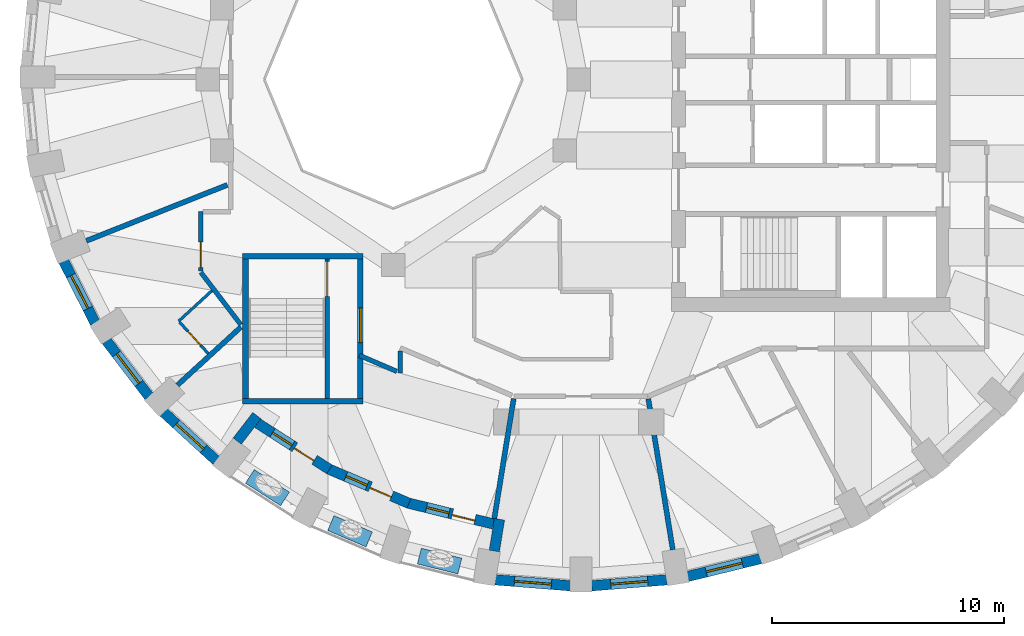
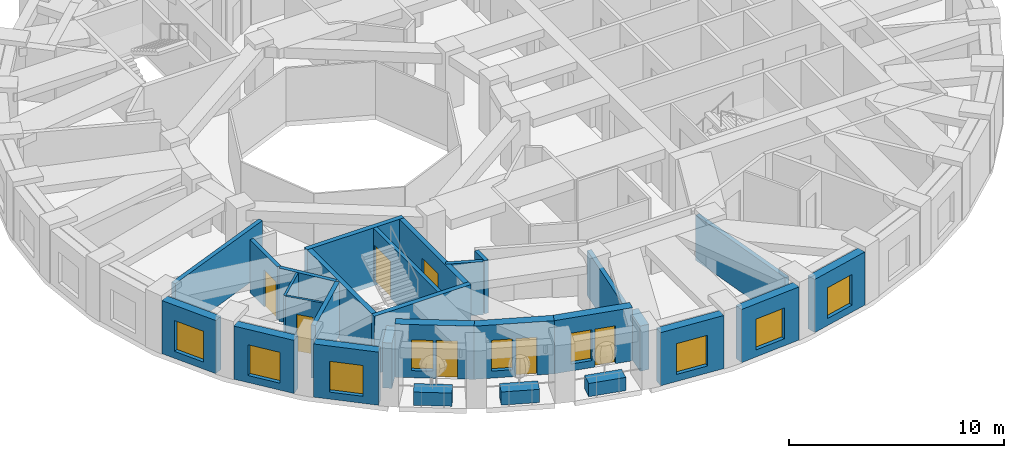
# One storey, part 3 of 12: 29 walls, 9 windows, 7 doors, 16 openings.
"""IFC4 building model written with IfcOpenShell, lengths in metres."""

from ifc_helpers import new_model, si_unit, direction, frame, frame_2d, origin, place, context, subcontext, project, spatial, rectangle, extrude, material, layer, layer_set, constituent, constituent_set, type_object, element, fill, save


model = new_model("IFC4")

# Units and contexts
model_context = context("Model", 3, precision=1e-05, world=origin(), true_north=direction((0.0, 1.0)))
body_context = subcontext(model_context, "Body", "Model", "MODEL_VIEW")
ifc_project = project(units=[si_unit("LENGTHUNIT", "METRE"), si_unit("AREAUNIT", "SQUARE_METRE"), si_unit("VOLUMEUNIT", "CUBIC_METRE"), si_unit("PLANEANGLEUNIT", "RADIAN"), si_unit("MASSUNIT", "GRAM", prefix="KILO")], contexts=[model_context])

# Site, building, storey
site_placement = place(None, origin())
site = spatial("IfcSite", under=ifc_project, at=site_placement, CompositionType="ELEMENT")
building_placement = place(site_placement, origin())
building = spatial("IfcBuilding", under=site, at=building_placement, Name="Taillehof Tower", CompositionType="ELEMENT")
storey_placement = place(building_placement, frame((0.0, 0.0, 171.5)))
storey = spatial("IfcBuildingStorey", under=building, at=storey_placement, Name="L48", CompositionType="ELEMENT", Elevation=171.5)

# Wall, opening, window
ifc_material_1 = material(Name="Brick masonry", Category="masonry")
ifc_layer_1 = layer(ifc_material_1, 0.449951171875)
ifc_layer_set_1 = layer_set([ifc_layer_1], Name="Brick infill wall 450")
wall_type_1 = type_object("IfcWallType", Name="Brick infill wall 450", PredefinedType="SOLIDWALL", material=ifc_layer_set_1)
wall_1_placement = place(storey_placement, frame((-22.21533203125, -7.8369140625, 0.0), z_axis=(0.0, 0.0, 1.0), x_axis=(0.454133999889, -0.890933392653, 0.0)))
wall_1 = element("IfcWall", 1, at=wall_1_placement, inside=storey, type_object=wall_type_1, Name="Brick wall L48 bay 21", PredefinedType="SOLIDWALL", context=body_context, shape_type="SweptSolid", body=[
    extrude(rectangle(XDim=2.98583984375, YDim=0.449951171875, at=frame_2d((1.492919921875, 0.0))), origin(), (0.0, 0.0, 1.0), 3.02001953125),
])
opening_1_placement = place(wall_1_placement, frame((0.69287109375, 0.0, 0.39990234375)))
opening_1 = element("IfcOpeningElement", 2, at=opening_1_placement, cuts=wall_1, Name="Opening W3", PredefinedType="OPENING", context=body_context, shape_type="SweptSolid", body=[
    extrude(rectangle(XDim=1.60009765625, YDim=1.75, at=frame_2d((0.800048828125, 0.875))), frame((0.0, 0.23486328125, 0.0), z_axis=(0.0, -1.0, 0.0), x_axis=(1.0, 0.0, 0.0)), (0.0, 0.0, 1.0), 0.469970703125),
])
ifc_material_2 = material(Name="Aluminium window frame with clear double glazing", Category="aluminium")
window_type_1 = type_object("IfcWindowType", Name="Deep-set window 1600x1750", PartitioningType="SINGLE_PANEL", PredefinedType="WINDOW", material=ifc_material_2)
window_1_placement = place(opening_1_placement, origin())
window_1 = element("IfcWindow", 3, at=window_1_placement, inside=storey, type_object=window_type_1, Name="W3", OverallHeight=1.75, OverallWidth=1.60009765625, PartitioningType="SINGLE_PANEL", PredefinedType="WINDOW", context=body_context, shape_type="SweptSolid", body=[
    extrude(rectangle(XDim=1.60009765625, YDim=1.75, at=frame_2d((0.800048828125, 0.875))), frame((0.0, 0.034912109375, 0.0), z_axis=(0.0, -1.0, 0.0), x_axis=(1.0, 0.0, 0.0)), (0.0, 0.0, 1.0), 0.06005859375),
])
fill(opening_1, window_1)

wall_2_placement = place(storey_placement, frame((-20.3740234375, -11.26708984375, 0.0), z_axis=(0.0, 0.0, 1.0), x_axis=(0.607817056371, -0.794077090706, 0.0)))
wall_2 = element("IfcWall", 4, at=wall_2_placement, inside=storey, type_object=wall_type_1, Name="Brick wall L48 bay 22", PredefinedType="SOLIDWALL", context=body_context, shape_type="SweptSolid", body=[
    extrude(rectangle(XDim=3.037109375, YDim=0.449951171875, at=frame_2d((1.5185546875, 0.0))), origin(), (0.0, 0.0, 1.0), 3.02001953125),
])
opening_2_placement = place(wall_2_placement, frame((0.718505859375, 0.0, 0.39990234375)))
opening_2 = element("IfcOpeningElement", 5, at=opening_2_placement, cuts=wall_2, Name="Opening W3", PredefinedType="OPENING", context=body_context, shape_type="SweptSolid", body=[
    extrude(rectangle(XDim=1.60009765625, YDim=1.75, at=frame_2d((0.800048828125, 0.875))), frame((0.0, 0.23486328125, 0.0), z_axis=(0.0, -1.0, 0.0), x_axis=(1.0, 0.0, 0.0)), (0.0, 0.0, 1.0), 0.469970703125),
])
window_2_placement = place(opening_2_placement, origin())
window_2 = element("IfcWindow", 6, at=window_2_placement, inside=storey, type_object=window_type_1, Name="W3", OverallHeight=1.75, OverallWidth=1.60009765625, PartitioningType="SINGLE_PANEL", PredefinedType="WINDOW", context=body_context, shape_type="SweptSolid", body=[
    extrude(rectangle(XDim=1.60009765625, YDim=1.75, at=frame_2d((0.800048828125, 0.875))), frame((0.0, 0.034912109375, 0.0), z_axis=(0.0, -1.0, 0.0), x_axis=(1.0, 0.0, 0.0)), (0.0, 0.0, 1.0), 0.06005859375),
])
fill(opening_2, window_2)

wall_3_placement = place(storey_placement, frame((-17.913330078125, -14.349853515625, 0.0), z_axis=(0.0, 0.0, 1.0), x_axis=(0.737808755941, -0.675009807082, 0.0)))
wall_3 = element("IfcWall", 7, at=wall_3_placement, inside=storey, type_object=wall_type_1, Name="Brick wall L48 bay 23", PredefinedType="SOLIDWALL", context=body_context, shape_type="SweptSolid", body=[
    extrude(rectangle(XDim=3.094482421875, YDim=0.449951171875, at=frame_2d((1.54736328125, 0.0))), origin(), (0.0, 0.0, 1.0), 3.02001953125),
])
opening_3_placement = place(wall_3_placement, frame((0.747314453125, 0.0, 0.39990234375)))
opening_3 = element("IfcOpeningElement", 8, at=opening_3_placement, cuts=wall_3, Name="Opening W3", PredefinedType="OPENING", context=body_context, shape_type="SweptSolid", body=[
    extrude(rectangle(XDim=1.60009765625, YDim=1.75, at=frame_2d((0.800048828125, 0.875))), frame((0.0, 0.23486328125, 0.0), z_axis=(0.0, -1.0, 0.0), x_axis=(1.0, 0.0, 0.0)), (0.0, 0.0, 1.0), 0.469970703125),
])
window_3_placement = place(opening_3_placement, origin())
window_3 = element("IfcWindow", 9, at=window_3_placement, inside=storey, type_object=window_type_1, Name="W3", OverallHeight=1.75, OverallWidth=1.60009765625, PartitioningType="SINGLE_PANEL", PredefinedType="WINDOW", context=body_context, shape_type="SweptSolid", body=[
    extrude(rectangle(XDim=1.60009765625, YDim=1.75, at=frame_2d((0.800048828125, 0.875))), frame((0.0, 0.034912109375, 0.0), z_axis=(0.0, -1.0, 0.0), x_axis=(1.0, 0.0, 0.0)), (0.0, 0.0, 1.0), 0.06005859375),
])
fill(opening_3, window_3)

wall_4_placement = place(storey_placement, frame((-3.6005859375, -21.578125, 0.0), z_axis=(0.0, 0.0, 1.0), x_axis=(0.996812416891, -0.079780984773, 0.0)))
wall_4 = element("IfcWall", 10, at=wall_4_placement, inside=storey, type_object=wall_type_1, Name="Brick wall L48 bay 27", PredefinedType="SOLIDWALL", context=body_context, shape_type="SweptSolid", body=[
    extrude(rectangle(XDim=3.256103515625, YDim=0.449951171875, at=frame_2d((1.6279296875, 0.0))), origin(), (0.0, 0.0, 1.0), 3.02001953125),
])
opening_4_placement = place(wall_4_placement, frame((0.827880859375, 0.0, 0.39990234375)))
opening_4 = element("IfcOpeningElement", 11, at=opening_4_placement, cuts=wall_4, Name="Opening W3", PredefinedType="OPENING", context=body_context, shape_type="SweptSolid", body=[
    extrude(rectangle(XDim=1.60009765625, YDim=1.75, at=frame_2d((0.800048828125, 0.875))), frame((0.0, 0.23486328125, 0.0), z_axis=(0.0, -1.0, 0.0), x_axis=(1.0, 0.0, 0.0)), (0.0, 0.0, 1.0), 0.469970703125),
])
window_4_placement = place(opening_4_placement, origin())
window_4 = element("IfcWindow", 12, at=window_4_placement, inside=storey, type_object=window_type_1, Name="W3", OverallHeight=1.75, OverallWidth=1.60009765625, PartitioningType="SINGLE_PANEL", PredefinedType="WINDOW", context=body_context, shape_type="SweptSolid", body=[
    extrude(rectangle(XDim=1.60009765625, YDim=1.75, at=frame_2d((0.800048828125, 0.875))), frame((0.0, 0.034912109375, 0.0), z_axis=(0.0, -1.0, 0.0), x_axis=(1.0, 0.0, 0.0)), (0.0, 0.0, 1.0), 0.06005859375),
])
fill(opening_4, window_4)

wall_5_placement = place(storey_placement, frame((0.55517578125, -21.837890625, 0.0), z_axis=(0.0, 0.0, 1.0), x_axis=(0.996812416891, 0.079780984773, 0.0)))
wall_5 = element("IfcWall", 13, at=wall_5_placement, inside=storey, type_object=wall_type_1, Name="Brick wall L48 bay 28", PredefinedType="SOLIDWALL", context=body_context, shape_type="SweptSolid", body=[
    extrude(rectangle(XDim=3.256103515625, YDim=0.449951171875, at=frame_2d((1.6279296875, 0.0))), origin(), (0.0, 0.0, 1.0), 3.02001953125),
])
opening_5_placement = place(wall_5_placement, frame((0.827880859375, 0.0, 0.39990234375)))
opening_5 = element("IfcOpeningElement", 14, at=opening_5_placement, cuts=wall_5, Name="Opening W3", PredefinedType="OPENING", context=body_context, shape_type="SweptSolid", body=[
    extrude(rectangle(XDim=1.60009765625, YDim=1.75, at=frame_2d((0.800048828125, 0.875))), frame((0.0, 0.23486328125, 0.0), z_axis=(0.0, -1.0, 0.0), x_axis=(1.0, 0.0, 0.0)), (0.0, 0.0, 1.0), 0.469970703125),
])
window_5_placement = place(opening_5_placement, origin())
window_5 = element("IfcWindow", 15, at=window_5_placement, inside=storey, type_object=window_type_1, Name="W3", OverallHeight=1.75, OverallWidth=1.60009765625, PartitioningType="SINGLE_PANEL", PredefinedType="WINDOW", context=body_context, shape_type="SweptSolid", body=[
    extrude(rectangle(XDim=1.60009765625, YDim=1.75, at=frame_2d((0.800048828125, 0.875))), frame((0.0, 0.034912109375, 0.0), z_axis=(0.0, -1.0, 0.0), x_axis=(1.0, 0.0, 0.0)), (0.0, 0.0, 1.0), 0.06005859375),
])
fill(opening_5, window_5)

wall_6_placement = place(storey_placement, frame((4.69921875, -21.43310546875, 0.0), z_axis=(0.0, 0.0, 1.0), x_axis=(0.971237178372, 0.238114139328, 0.0)))
wall_6 = element("IfcWall", 16, at=wall_6_placement, inside=storey, type_object=wall_type_1, Name="Brick wall L48 bay 29", PredefinedType="SOLIDWALL", context=body_context, shape_type="SweptSolid", body=[
    extrude(rectangle(XDim=3.23681640625, YDim=0.449951171875, at=frame_2d((1.618408203125, 0.0))), origin(), (0.0, 0.0, 1.0), 3.02001953125),
])
opening_6_placement = place(wall_6_placement, frame((0.818359375, 0.0, 0.39990234375)))
opening_6 = element("IfcOpeningElement", 17, at=opening_6_placement, cuts=wall_6, Name="Opening W3", PredefinedType="OPENING", context=body_context, shape_type="SweptSolid", body=[
    extrude(rectangle(XDim=1.60009765625, YDim=1.75, at=frame_2d((0.800048828125, 0.875))), frame((0.0, 0.23486328125, 0.0), z_axis=(0.0, -1.0, 0.0), x_axis=(1.0, 0.0, 0.0)), (0.0, 0.0, 1.0), 0.469970703125),
])
window_6_placement = place(opening_6_placement, origin())
window_6 = element("IfcWindow", 18, at=window_6_placement, inside=storey, type_object=window_type_1, Name="W3", OverallHeight=1.75, OverallWidth=1.60009765625, PartitioningType="SINGLE_PANEL", PredefinedType="WINDOW", context=body_context, shape_type="SweptSolid", body=[
    extrude(rectangle(XDim=1.60009765625, YDim=1.75, at=frame_2d((0.800048828125, 0.875))), frame((0.0, 0.034912109375, 0.0), z_axis=(0.0, -1.0, 0.0), x_axis=(1.0, 0.0, 0.0)), (0.0, 0.0, 1.0), 0.06005859375),
])
fill(opening_6, window_6)

# Walls
wall_7_placement = place(storey_placement, frame((-14.7314453125, -15.5966796875, 0.0), z_axis=(0.0, 0.0, 1.0), x_axis=(0.610007638158, 0.792395533423, 0.0)))
element("IfcWall", 19, at=wall_7_placement, inside=storey, type_object=wall_type_1, Name="Brick reveal L48 pocket 7", PredefinedType="SOLIDWALL", context=body_context, shape_type="SweptSolid", body=[
    extrude(rectangle(XDim=1.390869140625, YDim=0.449951171875, at=frame_2d((0.6953125, 0.0))), origin(), (0.0, 0.0, 1.0), 2.570068359375),
])
wall_8_placement = place(storey_placement, frame((-3.643798828125, -20.337646484375, 0.0), z_axis=(0.0, 0.0, 1.0), x_axis=(0.159668705775, 0.987170656166, 0.0)))
element("IfcWall", 20, at=wall_8_placement, inside=storey, type_object=wall_type_1, Name="Brick reveal L48 pocket 7", PredefinedType="SOLIDWALL", context=body_context, shape_type="SweptSolid", body=[
    extrude(rectangle(XDim=1.389892578125, YDim=0.449951171875, at=frame_2d((0.69482421875, 0.0))), origin(), (0.0, 0.0, 1.0), 2.570068359375),
])

# Wall, openings, door, window
wall_9_placement = place(storey_placement, frame((-13.853759765625, -14.825439453125, 0.0), z_axis=(0.0, 0.0, 1.0), x_axis=(0.841423945692, -0.540375557937, 0.0)))
wall_9 = element("IfcWall", 21, at=wall_9_placement, inside=storey, type_object=wall_type_1, Name="Brick wall L48 pocket bay 24", PredefinedType="SOLIDWALL", context=body_context, shape_type="SweptSolid", body=[
    extrude(rectangle(XDim=3.6826171875, YDim=0.449951171875, at=frame_2d((1.84130859375, 0.0))), origin(), (0.0, 0.0, 1.0), 3.02001953125),
])
opening_7_placement = place(wall_9_placement, frame((0.766357421875, 0.0, 0.39990234375)))
opening_7 = element("IfcOpeningElement", 22, at=opening_7_placement, cuts=wall_9, Name="Opening W5", PredefinedType="OPENING", context=body_context, shape_type="SweptSolid", body=[
    extrude(rectangle(XDim=1.0, YDim=1.75, at=frame_2d((0.5, 0.875))), frame((0.0, 0.23486328125, 0.0), z_axis=(0.0, -1.0, 0.0), x_axis=(1.0, 0.0, 0.0)), (0.0, 0.0, 1.0), 0.469970703125),
])
opening_8_placement = place(wall_9_placement, frame((1.916259765625, 0.0, 0.0)))
opening_8 = element("IfcOpeningElement", 23, at=opening_8_placement, cuts=wall_9, Name="Opening D4894", PredefinedType="OPENING", context=body_context, shape_type="SweptSolid", body=[
    extrude(rectangle(XDim=1.0, YDim=2.14990234375, at=frame_2d((0.5, 1.074951171875))), frame((0.0, 0.23486328125, 0.0), z_axis=(0.0, -1.0, 0.0), x_axis=(1.0, 0.0, 0.0)), (0.0, 0.0, 1.0), 0.469970703125),
])
ifc_material_3 = material(Name="Aluminium door frame with clear double glazing", Category="aluminium")
door_type_1 = type_object("IfcDoorType", Name="Balcony door 1000x2150", OperationType="SINGLE_SWING_RIGHT", PredefinedType="DOOR", material=ifc_material_3)
door_1_placement = place(opening_8_placement, frame((1.0, 0.0, 0.0), z_axis=(0.0, 0.0, 1.0), x_axis=(-1.0, 0.0, 0.0)))
door_1 = element("IfcDoor", 24, at=door_1_placement, inside=storey, type_object=door_type_1, Name="Balcony door L48 bay 24", OperationType="SINGLE_SWING_RIGHT", OverallHeight=2.14990234375, OverallWidth=1.0, PredefinedType="DOOR", context=body_context, shape_type="SweptSolid", body=[
    extrude(rectangle(XDim=1.0, YDim=2.14990234375, at=frame_2d((0.5, 1.074951171875))), frame((0.0, 0.0751953125, 0.0), z_axis=(0.0, -1.0, 0.0), x_axis=(1.0, 0.0, 0.0)), (0.0, 0.0, 1.0), 0.050048828125),
])
fill(opening_8, door_1)
ifc_material_4 = material(Name="Aluminium window frame with clear double glazing", Category="aluminium")
window_type_2 = type_object("IfcWindowType", Name="Fixed window 1000x1750", PartitioningType="SINGLE_PANEL", PredefinedType="WINDOW", material=ifc_material_4)
window_7_placement = place(opening_7_placement, origin())
window_7 = element("IfcWindow", 25, at=window_7_placement, inside=storey, type_object=window_type_2, Name="W5", OverallHeight=1.75, OverallWidth=1.0, PartitioningType="SINGLE_PANEL", PredefinedType="WINDOW", context=body_context, shape_type="SweptSolid", body=[
    extrude(rectangle(XDim=1.0, YDim=1.75, at=frame_2d((0.5, 0.875))), frame((0.0, 0.034912109375, 0.0), z_axis=(0.0, -1.0, 0.0), x_axis=(1.0, 0.0, 0.0)), (0.0, 0.0, 1.0), 0.06005859375),
])
fill(opening_7, window_7)

wall_10_placement = place(storey_placement, frame((-10.788330078125, -16.798095703125, 0.0), z_axis=(0.0, 0.0, 1.0), x_axis=(0.919443425894, -0.393222311907, 0.0)))
wall_10 = element("IfcWall", 26, at=wall_10_placement, inside=storey, type_object=wall_type_1, Name="Brick wall L48 pocket bay 25", PredefinedType="SOLIDWALL", context=body_context, shape_type="SweptSolid", body=[
    extrude(rectangle(XDim=3.76318359375, YDim=0.449951171875, at=frame_2d((1.881591796875, 0.0))), origin(), (0.0, 0.0, 1.0), 3.02001953125),
])
opening_9_placement = place(wall_10_placement, frame((0.806640625, 0.0, 0.39990234375)))
opening_9 = element("IfcOpeningElement", 27, at=opening_9_placement, cuts=wall_10, Name="Opening W5", PredefinedType="OPENING", context=body_context, shape_type="SweptSolid", body=[
    extrude(rectangle(XDim=1.0, YDim=1.75, at=frame_2d((0.5, 0.875))), frame((0.0, 0.23486328125, 0.0), z_axis=(0.0, -1.0, 0.0), x_axis=(1.0, 0.0, 0.0)), (0.0, 0.0, 1.0), 0.469970703125),
])
opening_10_placement = place(wall_10_placement, frame((1.95654296875, 0.0, 0.0)))
opening_10 = element("IfcOpeningElement", 28, at=opening_10_placement, cuts=wall_10, Name="Opening D4895", PredefinedType="OPENING", context=body_context, shape_type="SweptSolid", body=[
    extrude(rectangle(XDim=1.0, YDim=2.14990234375, at=frame_2d((0.5, 1.074951171875))), frame((0.0, 0.23486328125, 0.0), z_axis=(0.0, -1.0, 0.0), x_axis=(1.0, 0.0, 0.0)), (0.0, 0.0, 1.0), 0.469970703125),
])
door_2_placement = place(opening_10_placement, frame((1.0, 0.0, 0.0), z_axis=(0.0, 0.0, 1.0), x_axis=(-1.0, 0.0, 0.0)))
door_2 = element("IfcDoor", 29, at=door_2_placement, inside=storey, type_object=door_type_1, Name="Balcony door L48 bay 25", OperationType="SINGLE_SWING_LEFT", OverallHeight=2.14990234375, OverallWidth=1.0, PredefinedType="DOOR", context=body_context, shape_type="SweptSolid", body=[
    extrude(rectangle(XDim=1.0, YDim=2.14990234375, at=frame_2d((0.5, 1.074951171875))), frame((0.0, 0.0751953125, 0.0), z_axis=(0.0, -1.0, 0.0), x_axis=(1.0, 0.0, 0.0)), (0.0, 0.0, 1.0), 0.050048828125),
])
fill(opening_10, door_2)
window_8_placement = place(opening_9_placement, origin())
window_8 = element("IfcWindow", 30, at=window_8_placement, inside=storey, type_object=window_type_2, Name="W5", OverallHeight=1.75, OverallWidth=1.0, PartitioningType="SINGLE_PANEL", PredefinedType="WINDOW", context=body_context, shape_type="SweptSolid", body=[
    extrude(rectangle(XDim=1.0, YDim=1.75, at=frame_2d((0.5, 0.875))), frame((0.0, 0.034912109375, 0.0), z_axis=(0.0, -1.0, 0.0), x_axis=(1.0, 0.0, 0.0)), (0.0, 0.0, 1.0), 0.06005859375),
])
fill(opening_9, window_8)

wall_11_placement = place(storey_placement, frame((-7.363037109375, -18.26611328125, 0.0), z_axis=(0.0, 0.0, 1.0), x_axis=(0.971093730314, -0.238698485425, 0.0)))
wall_11 = element("IfcWall", 31, at=wall_11_placement, inside=storey, type_object=wall_type_1, Name="Brick wall L48 pocket bay 26", PredefinedType="SOLIDWALL", context=body_context, shape_type="SweptSolid", body=[
    extrude(rectangle(XDim=3.78955078125, YDim=0.449951171875, at=frame_2d((1.894775390625, 0.0))), origin(), (0.0, 0.0, 1.0), 3.02001953125),
])
opening_11_placement = place(wall_11_placement, frame((0.81982421875, 0.0, 0.39990234375)))
opening_11 = element("IfcOpeningElement", 32, at=opening_11_placement, cuts=wall_11, Name="Opening W5", PredefinedType="OPENING", context=body_context, shape_type="SweptSolid", body=[
    extrude(rectangle(XDim=1.0, YDim=1.75, at=frame_2d((0.5, 0.875))), frame((0.0, 0.23486328125, 0.0), z_axis=(0.0, -1.0, 0.0), x_axis=(1.0, 0.0, 0.0)), (0.0, 0.0, 1.0), 0.469970703125),
])
opening_12_placement = place(wall_11_placement, frame((1.9697265625, 0.0, 0.0)))
opening_12 = element("IfcOpeningElement", 33, at=opening_12_placement, cuts=wall_11, Name="Opening D4896", PredefinedType="OPENING", context=body_context, shape_type="SweptSolid", body=[
    extrude(rectangle(XDim=1.0, YDim=2.14990234375, at=frame_2d((0.5, 1.074951171875))), frame((0.0, 0.23486328125, 0.0), z_axis=(0.0, -1.0, 0.0), x_axis=(1.0, 0.0, 0.0)), (0.0, 0.0, 1.0), 0.469970703125),
])
door_3_placement = place(opening_12_placement, frame((1.0, 0.0, 0.0), z_axis=(0.0, 0.0, 1.0), x_axis=(-1.0, 0.0, 0.0)))
door_3 = element("IfcDoor", 34, at=door_3_placement, inside=storey, type_object=door_type_1, Name="Balcony door L48 bay 26", OperationType="SINGLE_SWING_LEFT", OverallHeight=2.14990234375, OverallWidth=1.0, PredefinedType="DOOR", context=body_context, shape_type="SweptSolid", body=[
    extrude(rectangle(XDim=1.0, YDim=2.14990234375, at=frame_2d((0.5, 1.074951171875))), frame((0.0, 0.0751953125, 0.0), z_axis=(0.0, -1.0, 0.0), x_axis=(1.0, 0.0, 0.0)), (0.0, 0.0, 1.0), 0.050048828125),
])
fill(opening_12, door_3)
window_9_placement = place(opening_11_placement, origin())
window_9 = element("IfcWindow", 35, at=window_9_placement, inside=storey, type_object=window_type_2, Name="W5", OverallHeight=1.75, OverallWidth=1.0, PartitioningType="SINGLE_PANEL", PredefinedType="WINDOW", context=body_context, shape_type="SweptSolid", body=[
    extrude(rectangle(XDim=1.0, YDim=1.75, at=frame_2d((0.5, 0.875))), frame((0.0, 0.034912109375, 0.0), z_axis=(0.0, -1.0, 0.0), x_axis=(1.0, 0.0, 0.0)), (0.0, 0.0, 1.0), 0.06005859375),
])
fill(opening_11, window_9)

# Walls
ifc_material_5 = material(Name="Gypsum board on steel studs, two layers each side", Category="steel")
ifc_layer_2 = layer(ifc_material_5, 0.199951171875)
ifc_layer_set_2 = layer_set([ifc_layer_2], Name="Compartment wall corridor 200")
wall_type_2 = type_object("IfcWallType", Name="Compartment wall corridor 200", PredefinedType="PARTITIONING", material=ifc_layer_set_2)
wall_12_placement = place(storey_placement, frame((-7.699951171875, -11.72021484375, 0.0), z_axis=(0.0, 0.0, 1.0), x_axis=(0.0, -1.0, 0.0)))
element("IfcWall", 36, at=wall_12_placement, inside=storey, type_object=wall_type_2, Name="Compartment wall", PredefinedType="PARTITIONING", context=body_context, shape_type="SweptSolid", body=[
    extrude(rectangle(XDim=0.933349609375, YDim=0.199951171875, at=frame_2d((0.466796875, 0.0))), origin(), (0.0, 0.0, 1.0), 3.02001953125),
])
wall_13_placement = place(storey_placement, frame((-7.846435546875, -12.591064453125, 0.0), z_axis=(0.0, 0.0, 1.0), x_axis=(-0.919360683084, 0.393415727189, 0.0)))
element("IfcWall", 37, at=wall_13_placement, inside=storey, type_object=wall_type_2, Name="Compartment wall", PredefinedType="PARTITIONING", context=body_context, shape_type="SweptSolid", body=[
    extrude(rectangle(XDim=1.755615234375, YDim=0.199951171875, at=frame_2d((0.8779296875, 0.0))), origin(), (0.0, 0.0, 1.0), 3.02001953125),
])
wall_14_placement = place(storey_placement, frame((-14.57373046875, -10.580078125, 0.0), z_axis=(0.0, 0.0, 1.0), x_axis=(-0.606733250298, 0.794905505694, 0.0)))
element("IfcWall", 38, at=wall_14_placement, inside=storey, type_object=wall_type_2, Name="Compartment wall", PredefinedType="PARTITIONING", context=body_context, shape_type="SweptSolid", body=[
    extrude(rectangle(XDim=2.84521484375, YDim=0.199951171875, at=frame_2d((1.422607421875, 0.0))), origin(), (0.0, 0.0, 1.0), 3.02001953125),
])

# Wall, opening, door
wall_15_placement = place(storey_placement, frame((-16.300048828125, -8.25830078125, 0.0), z_axis=(0.0, 0.0, 1.0), x_axis=(0.0, 1.0, 0.0)))
wall_15 = element("IfcWall", 39, at=wall_15_placement, inside=storey, type_object=wall_type_2, Name="Compartment wall", PredefinedType="PARTITIONING", context=body_context, shape_type="SweptSolid", body=[
    extrude(rectangle(XDim=2.558349609375, YDim=0.199951171875, at=frame_2d((1.279296875, 0.0))), origin(), (0.0, 0.0, 1.0), 3.02001953125),
])
opening_13_placement = place(wall_15_placement, frame((0.139892578125, 0.0, 0.0)))
opening_13 = element("IfcOpeningElement", 40, at=opening_13_placement, cuts=wall_15, Name="Opening D4850", PredefinedType="OPENING", context=body_context, shape_type="SweptSolid", body=[
    extrude(rectangle(XDim=1.10009765625, YDim=2.10009765625, at=frame_2d((0.550048828125, 1.050048828125))), frame((0.0, 0.10986328125, 0.0), z_axis=(0.0, -1.0, 0.0), x_axis=(1.0, 0.0, 0.0)), (0.0, 0.0, 1.0), 0.219970703125),
])
ifc_material_6 = material(Name="Timber door leaf in steel frame", Category="steel")
door_type_2 = type_object("IfcDoorType", Name="Suite entrance door EI 30 1100 x 2100", OperationType="SINGLE_SWING_LEFT", PredefinedType="DOOR", material=ifc_material_6)
door_4_placement = place(opening_13_placement, origin())
door_4 = element("IfcDoor", 41, at=door_4_placement, inside=storey, type_object=door_type_2, Name="D4850", OperationType="SINGLE_SWING_LEFT", OverallHeight=2.10009765625, OverallWidth=1.10009765625, PredefinedType="DOOR", context=body_context, shape_type="SweptSolid", body=[
    extrude(rectangle(XDim=1.10009765625, YDim=2.10009765625, at=frame_2d((0.550048828125, 1.050048828125))), frame((0.0, 0.02490234375, 0.0), z_axis=(0.0, -1.0, 0.0), x_axis=(1.0, 0.0, 0.0)), (0.0, 0.0, 1.0), 0.050048828125),
])
fill(opening_13, door_4)

# Walls
ifc_material_7 = material(Name="Gypsum board on double steel studs with mineral wool", Category="steel")
ifc_layer_3 = layer(ifc_material_7, 0.219970703125)
ifc_layer_set_3 = layer_set([ifc_layer_3], Name="Compartment wall guest room 220")
wall_type_3 = type_object("IfcWallType", Name="Compartment wall guest room 220", PredefinedType="PARTITIONING", material=ifc_layer_set_3)
wall_16_placement = place(storey_placement, frame((-21.23876953125, -6.959716796875, 0.0), z_axis=(0.0, 0.0, 1.0), x_axis=(0.929520145478, 0.368771337215, 0.0)))
element("IfcWall", 42, at=wall_16_placement, inside=storey, type_object=wall_type_3, Name="Compartment wall", PredefinedType="PARTITIONING", context=body_context, shape_type="SweptSolid", body=[
    extrude(rectangle(XDim=6.544189453125, YDim=0.219970703125, at=frame_2d((3.27197265625, 0.0))), origin(), (0.0, 0.0, 1.0), 3.02001953125),
])
wall_17_placement = place(storey_placement, frame((-17.310302734375, -13.181640625, 0.0), z_axis=(0.0, 0.0, 1.0), x_axis=(0.737860436015, 0.674953314655, 0.0)))
element("IfcWall", 43, at=wall_17_placement, inside=storey, type_object=wall_type_3, Name="Compartment wall", PredefinedType="PARTITIONING", context=body_context, shape_type="SweptSolid", body=[
    extrude(rectangle(XDim=3.714111328125, YDim=0.219970703125, at=frame_2d((1.85693359375, 0.0))), origin(), (0.0, 0.0, 1.0), 3.02001953125),
])
wall_18_placement = place(storey_placement, frame((-3.64697265625, -18.94775390625, 0.0), z_axis=(0.0, 0.0, 1.0), x_axis=(0.15969751034, 0.987165996776, 0.0)))
element("IfcWall", 44, at=wall_18_placement, inside=storey, type_object=wall_type_3, Name="Compartment wall", PredefinedType="PARTITIONING", context=body_context, shape_type="SweptSolid", body=[
    extrude(rectangle(XDim=5.248291015625, YDim=0.219970703125, at=frame_2d((2.6240234375, 0.0))), origin(), (0.0, 0.0, 1.0), 2.570068359375),
])
wall_19_placement = place(storey_placement, frame((4.05224609375, -20.28369140625, 0.0), z_axis=(0.0, 0.0, 1.0), x_axis=(-0.159678232595, 0.987169115215, 0.0)))
element("IfcWall", 45, at=wall_19_placement, inside=storey, type_object=wall_type_3, Name="Compartment wall", PredefinedType="PARTITIONING", context=body_context, shape_type="SweptSolid", body=[
    extrude(rectangle(XDim=6.594482421875, YDim=0.219970703125, at=frame_2d((3.29736328125, 0.0))), origin(), (0.0, 0.0, 1.0), 2.570068359375),
])
ifc_material_8 = material(Name="Gypsum board on steel studs, moisture resistant", Category="steel")
ifc_layer_4 = layer(ifc_material_8, 0.1201171875)
ifc_layer_set_4 = layer_set([ifc_layer_4], Name="En-suite wall 120")
wall_type_4 = type_object("IfcWallType", Name="En-suite wall 120", PredefinedType="PARTITIONING", material=ifc_layer_set_4)
wall_20_placement = place(storey_placement, frame((-15.82177734375, -9.109619140625, 0.0), z_axis=(0.0, 0.0, 1.0), x_axis=(-0.737882479632, -0.674929215734, 0.0)))
element("IfcWall", 46, at=wall_20_placement, inside=storey, type_object=wall_type_4, Name="En-suite wall", PredefinedType="PARTITIONING", context=body_context, shape_type="SweptSolid", body=[
    extrude(rectangle(XDim=1.94677734375, YDim=0.1201171875, at=frame_2d((0.973388671875, 0.0))), origin(), (0.0, 0.0, 1.0), 3.02001953125),
])

# Wall, opening, door
wall_21_placement = place(storey_placement, frame((-17.2177734375, -10.4677734375, 0.0), z_axis=(0.0, 0.0, 1.0), x_axis=(0.674920747044, -0.737890225717, 0.0)))
wall_21 = element("IfcWall", 47, at=wall_21_placement, inside=storey, type_object=wall_type_4, Name="En-suite wall", PredefinedType="PARTITIONING", context=body_context, shape_type="SweptSolid", body=[
    extrude(rectangle(XDim=1.830078125, YDim=0.1201171875, at=frame_2d((0.9150390625, 0.0))), origin(), (0.0, 0.0, 1.0), 3.02001953125),
])
opening_14_placement = place(wall_21_placement, frame((0.5400390625, 0.0, 0.0)))
opening_14 = element("IfcOpeningElement", 48, at=opening_14_placement, cuts=wall_21, Name="Opening D4851", PredefinedType="OPENING", context=body_context, shape_type="SweptSolid", body=[
    extrude(rectangle(XDim=0.800048828125, YDim=2.10009765625, at=frame_2d((0.39990234375, 1.050048828125))), frame((0.0, 0.070068359375, 0.0), z_axis=(0.0, -1.0, 0.0), x_axis=(1.0, 0.0, 0.0)), (0.0, 0.0, 1.0), 0.14013671875),
])
ifc_material_9 = material(Name="Timber door leaf in steel frame", Category="steel")
door_type_3 = type_object("IfcDoorType", Name="En-suite door 800 x 2100", OperationType="SINGLE_SWING_LEFT", PredefinedType="DOOR", material=ifc_material_9)
door_5_placement = place(opening_14_placement, origin())
door_5 = element("IfcDoor", 49, at=door_5_placement, inside=storey, type_object=door_type_3, Name="D4851", OperationType="SINGLE_SWING_LEFT", OverallHeight=2.10009765625, OverallWidth=0.800048828125, PredefinedType="DOOR", context=body_context, shape_type="SweptSolid", body=[
    extrude(rectangle(XDim=0.800048828125, YDim=2.10009765625, at=frame_2d((0.39990234375, 1.050048828125))), frame((0.0, 0.02490234375, 0.0), z_axis=(0.0, -1.0, 0.0), x_axis=(1.0, 0.0, 0.0)), (0.0, 0.0, 1.0), 0.050048828125),
])
fill(opening_14, door_5)

# Walls
ifc_material_10 = material(Name="Concrete C30/37 precast", Category="concrete")
ifc_constituent_1 = constituent(ifc_material_10, Name="Structure", Category="concrete")
ifc_material_11 = material(Name="Insulated lining")
ifc_constituent_2 = constituent(ifc_material_11, Name="Lining")
ifc_constituent_set = constituent_set(constituents=[ifc_constituent_1, ifc_constituent_2], Name="Planter trough 700x750")
wall_type_5 = type_object("IfcWallType", Name="Planter trough 700x750", PredefinedType="USERDEFINED", material=ifc_constituent_set)
for number, where, z_axis, x_axis, name in (
    (50, (-14.18603515625, -17.11767578125, 0.0), (0.0, 0.0, 1.0), (0.842032375698, -0.539426990682, 0.0), "Planter L48 bay 24"),
    (51, (-10.694580078125, -19.13134765625, 0.0), (0.0, 0.0, 1.0), (0.919859091433, -0.392248966739, 0.0), "Planter L48 bay 25"),
    (52, (-6.87744140625, -20.556640625, 0.0), (0.0, 0.0, 1.0), (0.971257007956, -0.238033242419, 0.0), "Planter L48 bay 26"),
):
    element("IfcWall", number, at=place(storey_placement, frame(where, z_axis=z_axis, x_axis=x_axis)), inside=storey, type_object=wall_type_5, Name=name, ObjectType="PLANTER", PredefinedType="USERDEFINED", context=body_context, shape_type="SweptSolid", body=[
        extrude(rectangle(XDim=1.800048828125, YDim=0.699951171875, at=frame_2d((0.89990234375, 0.0))), origin(), (0.0, 0.0, 1.0), 0.75),
    ])

# Wall, opening, door
ifc_material_12 = material(Name="Concrete C50/60", Category="concrete")
ifc_layer_5 = layer(ifc_material_12, 0.199951171875)
ifc_layer_set_5 = layer_set([ifc_layer_5], Name="Shaft wall C50/60 200")
wall_type_6 = type_object("IfcWallType", Name="Shaft wall C50/60 200", PredefinedType="SHEAR", material=ifc_layer_set_5)
wall_22_placement = place(storey_placement, frame((-10.85009765625, -13.75, 0.0), z_axis=(0.0, 0.0, 1.0), x_axis=(0.0, 1.0, 0.0)))
wall_22 = element("IfcWall", 53, at=wall_22_placement, inside=storey, type_object=wall_type_6, Name="Shaft wall SW", PredefinedType="SHEAR", context=body_context, shape_type="SweptSolid", body=[
    extrude(rectangle(XDim=6.0, YDim=0.199951171875, at=frame_2d((3.0, 0.0))), origin(), (0.0, 0.0, 1.0), 3.02001953125),
])
opening_15_placement = place(wall_22_placement, frame((4.39990234375, 0.0, 0.0)))
opening_15 = element("IfcOpeningElement", 54, at=opening_15_placement, cuts=wall_22, Name="Opening D4813", PredefinedType="OPENING", context=body_context, shape_type="SweptSolid", body=[
    extrude(rectangle(XDim=1.5, YDim=2.10009765625, at=frame_2d((0.75, 1.050048828125))), frame((0.0, 0.10986328125, 0.0), z_axis=(0.0, -1.0, 0.0), x_axis=(1.0, 0.0, 0.0)), (0.0, 0.0, 1.0), 0.219970703125),
])
ifc_material_13 = material(Name="Steel-faced fire door", Category="steel")
door_type_4 = type_object("IfcDoorType", Name="Stair door 1500x2100", OperationType="DOUBLE_DOOR_SINGLE_SWING", PredefinedType="DOOR", material=ifc_material_13)
door_6_placement = place(opening_15_placement, origin())
door_6 = element("IfcDoor", 55, at=door_6_placement, inside=storey, type_object=door_type_4, Name="Stair lobby door S4", OperationType="DOUBLE_DOOR_SINGLE_SWING", OverallHeight=2.10009765625, OverallWidth=1.5, PredefinedType="DOOR", context=body_context, shape_type="SweptSolid", body=[
    extrude(rectangle(XDim=1.5, YDim=2.10009765625, at=frame_2d((0.75, 1.050048828125))), frame((0.0, 0.02490234375, 0.0), z_axis=(0.0, -1.0, 0.0), x_axis=(1.0, 0.0, 0.0)), (0.0, 0.0, 1.0), 0.050048828125),
])
fill(opening_15, door_6)

# Wall
ifc_material_14 = material(Name="Concrete C50/60", Category="concrete")
ifc_layer_6 = layer(ifc_material_14, 0.25)
ifc_layer_set_6 = layer_set([ifc_layer_6], Name="Stair wall C50/60 250")
wall_type_7 = type_object("IfcWallType", Name="Stair wall C50/60 250", PredefinedType="SHEAR", material=ifc_layer_set_6)
wall_23_placement = place(storey_placement, frame((-14.375, -13.75, -0.280029296875), z_axis=(0.0, 0.0, 1.0), x_axis=(0.0, 1.0, 0.0)))
element("IfcWall", 56, at=wall_23_placement, inside=storey, type_object=wall_type_7, Name="Stair wall SC", PredefinedType="SHEAR", context=body_context, shape_type="SweptSolid", body=[
    extrude(rectangle(XDim=6.0, YDim=0.25, at=frame_2d((3.0, 0.0))), origin(), (0.0, 0.0, 1.0), 3.300048828125),
])

# Wall, opening, door
wall_24_placement = place(storey_placement, frame((-9.425048828125, -13.75, -0.280029296875), z_axis=(0.0, 0.0, 1.0), x_axis=(0.0, 1.0, 0.0)))
wall_24 = element("IfcWall", 57, at=wall_24_placement, inside=storey, type_object=wall_type_7, Name="Stair wall SC", PredefinedType="SHEAR", context=body_context, shape_type="SweptSolid", body=[
    extrude(rectangle(XDim=6.0, YDim=0.25, at=frame_2d((3.0, 0.0))), origin(), (0.0, 0.0, 1.0), 3.300048828125),
])
opening_16_placement = place(wall_24_placement, frame((2.39990234375, 0.0, 0.280029296875)))
opening_16 = element("IfcOpeningElement", 58, at=opening_16_placement, cuts=wall_24, Name="Opening D4816", PredefinedType="OPENING", context=body_context, shape_type="SweptSolid", body=[
    extrude(rectangle(XDim=1.5, YDim=2.10009765625, at=frame_2d((0.75, 1.050048828125))), frame((0.0, 0.135009765625, 0.0), z_axis=(0.0, -1.0, 0.0), x_axis=(1.0, 0.0, 0.0)), (0.0, 0.0, 1.0), 0.27001953125),
])
door_7_placement = place(opening_16_placement, origin())
door_7 = element("IfcDoor", 59, at=door_7_placement, inside=storey, type_object=door_type_4, Name="Stair door S4", OperationType="DOUBLE_DOOR_SINGLE_SWING", OverallHeight=2.10009765625, OverallWidth=1.5, PredefinedType="DOOR", context=body_context, shape_type="SweptSolid", body=[
    extrude(rectangle(XDim=1.5, YDim=2.10009765625, at=frame_2d((0.75, 1.050048828125))), frame((0.0, 0.02490234375, 0.0), z_axis=(0.0, -1.0, 0.0), x_axis=(1.0, 0.0, 0.0)), (0.0, 0.0, 1.0), 0.050048828125),
])
fill(opening_16, door_7)

# Walls
for number, where, z_axis, x_axis, name in (
    (60, (-14.5, -7.625, -0.280029296875), (0.0, 0.0, 1.0), (1.0, 0.0, 0.0), "Stair wall SC"),
    (61, (-14.5, -13.875, -0.280029296875), (0.0, 0.0, 1.0), (1.0, 0.0, 0.0), "Stair wall SC"),
):
    element("IfcWall", number, at=place(storey_placement, frame(where, z_axis=z_axis, x_axis=x_axis)), inside=storey, type_object=wall_type_7, Name=name, PredefinedType="SHEAR", context=body_context, shape_type="SweptSolid", body=[
        extrude(rectangle(XDim=5.199951171875, YDim=0.25, at=frame_2d((2.60009765625, 0.0))), origin(), (0.0, 0.0, 1.0), 3.300048828125),
    ])

save(model, "model.ifc")
